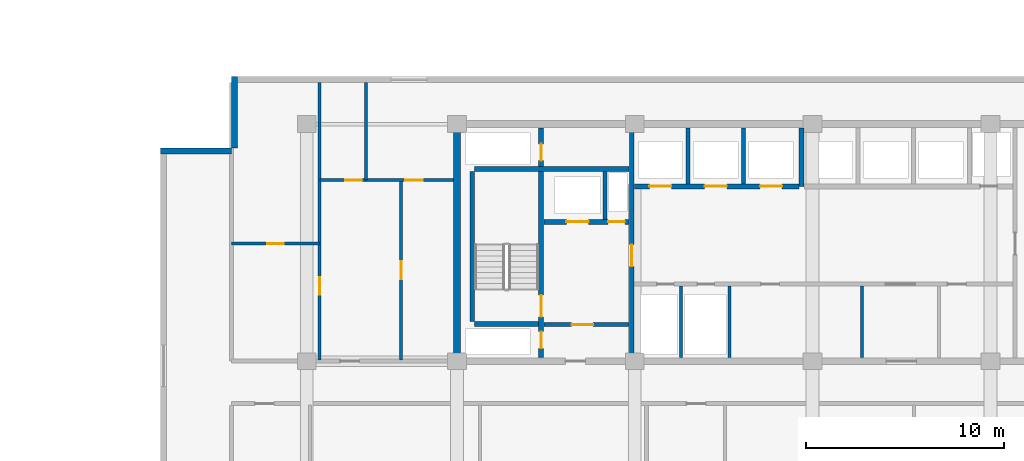
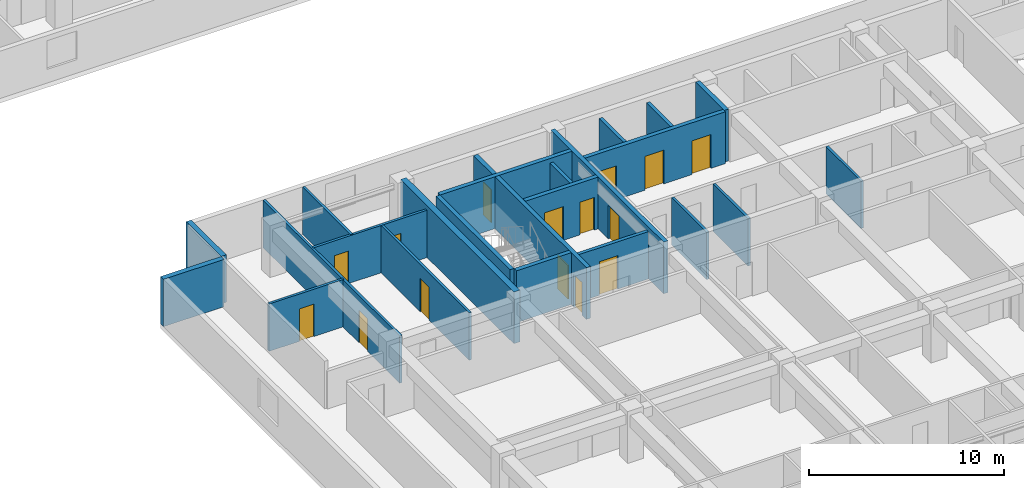
# One storey, part 6 of 23: 23 walls, 15 doors, 15 openings.
"""IFC4 building model written with IfcOpenShell, lengths in metres."""

from ifc_helpers import new_model, si_unit, direction, frame, frame_2d, origin, place, context, subcontext, project, spatial, rectangle, extrude, material, layer, layer_set, type_object, element, fill, save


model = new_model("IFC4")

# Units and contexts
model_context = context("Model", 3, precision=1e-05, world=origin(), true_north=direction((0.0, 1.0)))
body_context = subcontext(model_context, "Body", "Model", "MODEL_VIEW")
ifc_project = project(units=[si_unit("LENGTHUNIT", "METRE"), si_unit("AREAUNIT", "SQUARE_METRE"), si_unit("VOLUMEUNIT", "CUBIC_METRE"), si_unit("PLANEANGLEUNIT", "RADIAN"), si_unit("MASSUNIT", "GRAM", prefix="KILO")], contexts=[model_context])

# Site, building, storey
site_placement = place(None, origin())
site = spatial("IfcSite", under=ifc_project, at=site_placement, CompositionType="ELEMENT")
building_placement = place(site_placement, origin())
building = spatial("IfcBuilding", under=site, at=building_placement, Name="Korimba Cascade Residences", CompositionType="ELEMENT")
storey_placement = place(building_placement, frame((0.0, 0.0, 53.25)))
storey = spatial("IfcBuildingStorey", under=building, at=storey_placement, Name="L14", CompositionType="ELEMENT", Elevation=53.25)

# Walls
ifc_material_1 = material(Name="Precast concrete C40/50", Category="concrete")
ifc_layer_1 = layer(ifc_material_1, 0.300048828125)
ifc_layer_set_1 = layer_set([ifc_layer_1], Name="Precast concrete C40/50")
wall_type_1 = type_object("IfcWallType", Name="EW-STONE-300", PredefinedType="STANDARD", material=ifc_layer_set_1)
wall_1_placement = place(storey_placement, frame((70.85009765625, 32.800048828125, 0.0), z_axis=(0.0, 0.0, 1.0), x_axis=(0.0, -1.0, 0.0)))
element("IfcWall", 1, at=wall_1_placement, inside=storey, type_object=wall_type_1, Name="L14 T2 Perimeter Stone Wall E07", PredefinedType="STANDARD", context=body_context, shape_type="SweptSolid", body=[
    extrude(rectangle(XDim=3.60009765625, YDim=0.300048828125, at=frame_2d((1.800048828125, 0.0))), origin(), (0.0, 0.0, 1.0), 2.969970703125),
])
wall_2_placement = place(storey_placement, frame((70.699951171875, 29.050048828125, 0.0), z_axis=(0.0, 0.0, 1.0), x_axis=(-1.0, 0.0, 0.0)))
element("IfcWall", 2, at=wall_2_placement, inside=storey, type_object=wall_type_1, Name="L14 T2 Perimeter Stone Wall E08", PredefinedType="STANDARD", context=body_context, shape_type="SweptSolid", body=[
    extrude(rectangle(XDim=3.599853515625, YDim=0.300048828125, at=frame_2d((1.7998046875, 0.0))), origin(), (0.0, 0.0, 1.0), 2.969970703125),
])
ifc_material_2 = material(Name="Concrete C65/80", Category="concrete")
ifc_layer_2 = layer(ifc_material_2, 0.35009765625)
ifc_layer_set_2 = layer_set([ifc_layer_2], Name="Concrete C65/80")
wall_type_2 = type_object("IfcWallType", Name="WAL-CORE-350", PredefinedType="SHEAR", material=ifc_layer_set_2)
wall_3_placement = place(storey_placement, frame((82.10009765625, 18.574951171875, 0.0), z_axis=(0.0, 0.0, 1.0), x_axis=(0.0, 1.0, 0.0)))
element("IfcWall", 3, at=wall_3_placement, inside=storey, type_object=wall_type_2, Name="L14 Core Shear Wall CW-L14-T2-W", PredefinedType="SHEAR", context=body_context, shape_type="SweptSolid", body=[
    extrude(rectangle(XDim=11.650146484375, YDim=0.35009765625, at=frame_2d((5.8251953125, 0.0))), origin(), (0.0, 0.0, 1.0), 3.25),
])
ifc_material_3 = material(Name="Insulated Acoustic Stud Partition", Category="gypsum")
ifc_layer_3 = layer(ifc_material_3, 0.14990234375)
ifc_layer_set_3 = layer_set([ifc_layer_3], Name="Insulated Acoustic Stud Partition")
wall_type_3 = type_object("IfcWallType", Name="WAL-PART-150", PredefinedType="PARTITIONING", material=ifc_layer_set_3)
for number, where, z_axis, x_axis, name in (
    (4, (93.449951171875, 18.60009765625, 0.0), (0.0, 0.0, 1.0), (0.0, 1.0, 0.0), "L14 Partition Wall CW-L14-T2-ERDIV"),
    (5, (95.89990234375, 18.60009765625, 0.0), (0.0, 0.0, 1.0), (0.0, 1.0, 0.0), "L14 Partition Wall CW-L14-T2-PRDIV"),
    (6, (102.60009765625, 18.60009765625, 0.0), (0.0, 0.0, 1.0), (0.0, 1.0, 0.0), "L14 Partition Wall CW-L14-T2-THW"),
):
    element("IfcWall", number, at=place(storey_placement, frame(where, z_axis=z_axis, x_axis=x_axis)), inside=storey, type_object=wall_type_3, Name=name, PredefinedType="PARTITIONING", context=body_context, shape_type="SweptSolid", body=[
        extrude(rectangle(XDim=3.599853515625, YDim=0.14990234375, at=frame_2d((1.7998046875, 0.0))), origin(), (0.0, 0.0, 1.0), 2.969970703125),
    ])

# Wall, opening, door
wall_4_placement = place(storey_placement, frame((70.699951171875, 24.35009765625, 0.0), z_axis=(0.0, 0.0, 1.0), x_axis=(1.0, 0.0, 0.0)))
wall_4 = element("IfcWall", 7, at=wall_4_placement, inside=storey, type_object=wall_type_3, Name="L14 Partition Wall WAL-L14-T2-FW-STH", PredefinedType="PARTITIONING", context=body_context, shape_type="SweptSolid", body=[
    extrude(rectangle(XDim=4.449951171875, YDim=0.14990234375, at=frame_2d((2.22509765625, 0.0))), origin(), (0.0, 0.0, 1.0), 2.969970703125),
])
opening_1_placement = place(wall_4_placement, frame((1.804931640625, 0.0, 0.0)))
opening_1 = element("IfcOpeningElement", 8, at=opening_1_placement, cuts=wall_4, Name="Opening D-BT1", PredefinedType="OPENING", context=body_context, shape_type="SweptSolid", body=[
    extrude(rectangle(XDim=0.840087890625, YDim=2.0400390625, at=frame_2d((0.419921875, 1.02001953125))), frame((0.0, 0.0849609375, 0.0), z_axis=(0.0, -1.0, 0.0), x_axis=(1.0, 0.0, 0.0)), (0.0, 0.0, 1.0), 0.169921875),
])
ifc_material_4 = material(Name="Moisture-Resistant Bathroom Timber Door", Category="wood")
door_type_1 = type_object("IfcDoorType", Name="DR-INT-850", OperationType="NOTDEFINED", PredefinedType="DOOR", material=ifc_material_4)
door_1_placement = place(opening_1_placement, origin())
door_1 = element("IfcDoor", 9, at=door_1_placement, inside=storey, type_object=door_type_1, Name="L14-T2-FW Dressing Store Door", OperationType="SINGLE_SWING_LEFT", OverallHeight=2.0400390625, OverallWidth=0.840087890625, PredefinedType="DOOR", context=body_context, shape_type="SweptSolid", body=[
    extrude(rectangle(XDim=0.840087890625, YDim=2.0400390625, at=frame_2d((0.419921875, 1.02001953125))), frame((0.0, 0.02490234375, 0.0), z_axis=(0.0, -1.0, 0.0), x_axis=(1.0, 0.0, 0.0)), (0.0, 0.0, 1.0), 0.050048828125),
])
fill(opening_1, door_1)

wall_5_placement = place(storey_placement, frame((75.14990234375, 18.449951171875, 0.0), z_axis=(0.0, 0.0, 1.0), x_axis=(0.0, 1.0, 0.0)))
wall_5 = element("IfcWall", 10, at=wall_5_placement, inside=storey, type_object=wall_type_3, Name="L14 Partition Wall WAL-L14-T2-FW-STV", PredefinedType="PARTITIONING", context=body_context, shape_type="SweptSolid", body=[
    extrude(rectangle(XDim=14.050048828125, YDim=0.14990234375, at=frame_2d((7.02490234375, 0.0))), origin(), (0.0, 0.0, 1.0), 2.969970703125),
])
opening_2_placement = place(wall_5_placement, frame((3.320068359375, 0.0, 0.0)))
opening_2 = element("IfcOpeningElement", 11, at=opening_2_placement, cuts=wall_5, Name="Opening D-IN2", PredefinedType="OPENING", context=body_context, shape_type="SweptSolid", body=[
    extrude(rectangle(XDim=0.8798828125, YDim=2.06005859375, at=frame_2d((0.43994140625, 1.030029296875))), frame((0.0, 0.0849609375, 0.0), z_axis=(0.0, -1.0, 0.0), x_axis=(1.0, 0.0, 0.0)), (0.0, 0.0, 1.0), 0.169921875),
])
ifc_material_5 = material(Name="Acoustic Timber Bedroom Door", Category="wood")
door_type_2 = type_object("IfcDoorType", Name="DR-INT-880", OperationType="NOTDEFINED", PredefinedType="DOOR", material=ifc_material_5)
door_2_placement = place(opening_2_placement, origin())
door_2 = element("IfcDoor", 12, at=door_2_placement, inside=storey, type_object=door_type_2, Name="L14-T2-FW Study Door", OperationType="SINGLE_SWING_RIGHT", OverallHeight=2.06005859375, OverallWidth=0.8798828125, PredefinedType="DOOR", context=body_context, shape_type="SweptSolid", body=[
    extrude(rectangle(XDim=0.8798828125, YDim=2.06005859375, at=frame_2d((0.43994140625, 1.030029296875))), frame((0.0, 0.02490234375, 0.0), z_axis=(0.0, -1.0, 0.0), x_axis=(1.0, 0.0, 0.0)), (0.0, 0.0, 1.0), 0.050048828125),
])
fill(opening_2, door_2)

wall_6_placement = place(storey_placement, frame((79.27001953125, 18.449951171875, 0.0), z_axis=(0.0, 0.0, 1.0), x_axis=(0.0, 1.0, 0.0)))
wall_6 = element("IfcWall", 13, at=wall_6_placement, inside=storey, type_object=wall_type_3, Name="L14 Partition Wall WAL-L14-T2-FW-VS", PredefinedType="PARTITIONING", context=body_context, shape_type="SweptSolid", body=[
    extrude(rectangle(XDim=9.1201171875, YDim=0.14990234375, at=frame_2d((4.56005859375, 0.0))), origin(), (0.0, 0.0, 1.0), 2.969970703125),
])
opening_3_placement = place(wall_6_placement, frame((4.10009765625, 0.0, 0.0)))
opening_3 = element("IfcOpeningElement", 14, at=opening_3_placement, cuts=wall_6, Name="Opening D-IN1", PredefinedType="OPENING", context=body_context, shape_type="SweptSolid", body=[
    extrude(rectangle(XDim=0.919921875, YDim=2.080078125, at=frame_2d((0.4599609375, 1.0400390625))), frame((0.0, 0.0849609375, 0.0), z_axis=(0.0, -1.0, 0.0), x_axis=(1.0, 0.0, 0.0)), (0.0, 0.0, 1.0), 0.169921875),
])
ifc_material_6 = material(Name="Acoustic Timber Living Door", Category="wood")
door_type_3 = type_object("IfcDoorType", Name="DR-INT-920", OperationType="NOTDEFINED", PredefinedType="DOOR", material=ifc_material_6)
door_3_placement = place(opening_3_placement, origin())
door_3 = element("IfcDoor", 15, at=door_3_placement, inside=storey, type_object=door_type_3, Name="L14-T2-FW Living Door", OperationType="SINGLE_SWING_LEFT", OverallHeight=2.080078125, OverallWidth=0.919921875, PredefinedType="DOOR", context=body_context, shape_type="SweptSolid", body=[
    extrude(rectangle(XDim=0.919921875, YDim=2.080078125, at=frame_2d((0.4599609375, 1.0400390625))), frame((0.0, 0.02490234375, 0.0), z_axis=(0.0, -1.0, 0.0), x_axis=(1.0, 0.0, 0.0)), (0.0, 0.0, 1.0), 0.050048828125),
])
fill(opening_3, door_3)

# Wall
wall_7_placement = place(storey_placement, frame((77.5, 27.570068359375, 0.0), z_axis=(0.0, 0.0, 1.0), x_axis=(0.0, 1.0, 0.0)))
element("IfcWall", 16, at=wall_7_placement, inside=storey, type_object=wall_type_3, Name="L14 Partition Wall WAL-L14-T2-FW-VN", PredefinedType="PARTITIONING", context=body_context, shape_type="SweptSolid", body=[
    extrude(rectangle(XDim=4.929931640625, YDim=0.14990234375, at=frame_2d((2.46484375, 0.0))), origin(), (0.0, 0.0, 1.0), 2.969970703125),
])

# Wall, openings, doors
wall_8_placement = place(storey_placement, frame((75.169921875, 27.570068359375, 0.0), z_axis=(0.0, 0.0, 1.0), x_axis=(1.0, 0.0, 0.0)))
wall_8 = element("IfcWall", 17, at=wall_8_placement, inside=storey, type_object=wall_type_3, Name="L14 Partition Wall WAL-L14-T2-FW-H", PredefinedType="PARTITIONING", context=body_context, shape_type="SweptSolid", body=[
    extrude(rectangle(XDim=6.760009765625, YDim=0.14990234375, at=frame_2d((3.3798828125, 0.0))), origin(), (0.0, 0.0, 1.0), 2.969970703125),
])
opening_4_placement = place(wall_8_placement, frame((1.266357421875, 0.0, 0.0)))
opening_4 = element("IfcOpeningElement", 18, at=opening_4_placement, cuts=wall_8, Name="Opening D-BT1", PredefinedType="OPENING", context=body_context, shape_type="SweptSolid", body=[
    extrude(rectangle(XDim=0.840087890625, YDim=2.0400390625, at=frame_2d((0.419921875, 1.02001953125))), frame((0.0, 0.0849609375, 0.0), z_axis=(0.0, -1.0, 0.0), x_axis=(1.0, 0.0, 0.0)), (0.0, 0.0, 1.0), 0.169921875),
])
opening_5_placement = place(wall_8_placement, frame((4.320068359375, 0.0, 0.0)))
opening_5 = element("IfcOpeningElement", 19, at=opening_5_placement, cuts=wall_8, Name="Opening D-IN2", PredefinedType="OPENING", context=body_context, shape_type="SweptSolid", body=[
    extrude(rectangle(XDim=0.8798828125, YDim=2.06005859375, at=frame_2d((0.43994140625, 1.030029296875))), frame((0.0, 0.0849609375, 0.0), z_axis=(0.0, -1.0, 0.0), x_axis=(1.0, 0.0, 0.0)), (0.0, 0.0, 1.0), 0.169921875),
])
door_4_placement = place(opening_4_placement, origin())
door_4 = element("IfcDoor", 20, at=door_4_placement, inside=storey, type_object=door_type_1, Name="L14-T2-FW Bathroom Door", OperationType="SINGLE_SWING_RIGHT", OverallHeight=2.0400390625, OverallWidth=0.840087890625, PredefinedType="DOOR", context=body_context, shape_type="SweptSolid", body=[
    extrude(rectangle(XDim=0.840087890625, YDim=2.0400390625, at=frame_2d((0.419921875, 1.02001953125))), frame((0.0, 0.02490234375, 0.0), z_axis=(0.0, -1.0, 0.0), x_axis=(1.0, 0.0, 0.0)), (0.0, 0.0, 1.0), 0.050048828125),
])
fill(opening_4, door_4)
door_5_placement = place(opening_5_placement, origin())
door_5 = element("IfcDoor", 21, at=door_5_placement, inside=storey, type_object=door_type_2, Name="L14-T2-FW Bedroom Door", OperationType="SINGLE_SWING_LEFT", OverallHeight=2.06005859375, OverallWidth=0.8798828125, PredefinedType="DOOR", context=body_context, shape_type="SweptSolid", body=[
    extrude(rectangle(XDim=0.8798828125, YDim=2.06005859375, at=frame_2d((0.43994140625, 1.030029296875))), frame((0.0, 0.02490234375, 0.0), z_axis=(0.0, -1.0, 0.0), x_axis=(1.0, 0.0, 0.0)), (0.0, 0.0, 1.0), 0.050048828125),
])
fill(opening_5, door_5)

# Wall
ifc_material_7 = material(Name="Concrete C40/50", Category="concrete")
ifc_layer_4 = layer(ifc_material_7, 0.199951171875)
ifc_layer_set_4 = layer_set([ifc_layer_4], Name="Concrete C40/50")
wall_type_4 = type_object("IfcWallType", Name="WAL-PART-200", PredefinedType="PARTITIONING", material=ifc_layer_set_4)
wall_9_placement = place(storey_placement, frame((89.60009765625, 25.580078125, 0.0), z_axis=(0.0, 0.0, 1.0), x_axis=(0.0, 1.0, 0.0)))
element("IfcWall", 22, at=wall_9_placement, inside=storey, type_object=wall_type_4, Name="L14 Partition Wall CW-L14-T2-FFLDIV", PredefinedType="PARTITIONING", context=body_context, shape_type="SweptSolid", body=[
    extrude(rectangle(XDim=2.419921875, YDim=0.199951171875, at=frame_2d((1.2099609375, 0.0))), origin(), (0.0, 0.0, 1.0), 2.969970703125),
])

# Wall, opening, door
wall_10_placement = place(storey_placement, frame((86.5, 20.25, 0.0), z_axis=(0.0, 0.0, 1.0), x_axis=(1.0, 0.0, 0.0)))
wall_10 = element("IfcWall", 23, at=wall_10_placement, inside=storey, type_object=wall_type_4, Name="L14 Partition Wall CW-L14-T2-FFLS", PredefinedType="PARTITIONING", context=body_context, shape_type="SweptSolid", body=[
    extrude(rectangle(XDim=4.320068359375, YDim=0.199951171875, at=frame_2d((2.16015625, 0.0))), origin(), (0.0, 0.0, 1.0), 2.969970703125),
])
opening_6_placement = place(wall_10_placement, frame((1.39990234375, 0.0, 0.0)))
opening_6 = element("IfcOpeningElement", 24, at=opening_6_placement, cuts=wall_10, Name="Opening D-FD1", PredefinedType="OPENING", context=body_context, shape_type="SweptSolid", body=[
    extrude(rectangle(XDim=1.10009765625, YDim=2.10009765625, at=frame_2d((0.550048828125, 1.050048828125))), frame((0.0, 0.10986328125, 0.0), z_axis=(0.0, -1.0, 0.0), x_axis=(1.0, 0.0, 0.0)), (0.0, 0.0, 1.0), 0.219970703125),
])
ifc_material_8 = material(Name="Fire-Rated Steel Core Door", Category="steel")
door_type_4 = type_object("IfcDoorType", Name="DR-FD120-1100", OperationType="NOTDEFINED", PredefinedType="DOOR", material=ifc_material_8)
door_6_placement = place(opening_6_placement, origin())
door_6 = element("IfcDoor", 25, at=door_6_placement, inside=storey, type_object=door_type_4, Name="L14 T2 Firefighting Lobby Door", OperationType="SINGLE_SWING_RIGHT", OverallHeight=2.10009765625, OverallWidth=1.10009765625, PredefinedType="DOOR", context=body_context, shape_type="SweptSolid", body=[
    extrude(rectangle(XDim=1.10009765625, YDim=2.10009765625, at=frame_2d((0.550048828125, 1.050048828125))), frame((0.0, 0.02490234375, 0.0), z_axis=(0.0, -1.0, 0.0), x_axis=(1.0, 0.0, 0.0)), (0.0, 0.0, 1.0), 0.050048828125),
])
fill(opening_6, door_6)

# Walls
for number, where, z_axis, x_axis, name in (
    (26, (93.800048828125, 27.3798828125, 0.0), (0.0, 0.0, 1.0), (0.0, 1.0, 0.0), "L14 Partition Wall CW-L14-T2-B1D1"),
    (27, (96.60009765625, 27.3798828125, 0.0), (0.0, 0.0, 1.0), (0.0, 1.0, 0.0), "L14 Partition Wall CW-L14-T2-B1D2"),
):
    element("IfcWall", number, at=place(storey_placement, frame(where, z_axis=z_axis, x_axis=x_axis)), inside=storey, type_object=wall_type_4, Name=name, PredefinedType="PARTITIONING", context=body_context, shape_type="SweptSolid", body=[
        extrude(rectangle(XDim=2.820068359375, YDim=0.199951171875, at=frame_2d((1.41015625, 0.0))), origin(), (0.0, 0.0, 1.0), 2.969970703125),
    ])
ifc_material_9 = material(Name="Concrete C50/60", Category="concrete")
ifc_layer_5 = layer(ifc_material_9, 0.25)
ifc_layer_set_5 = layer_set([ifc_layer_5], Name="Concrete C50/60")
wall_type_5 = type_object("IfcWallType", Name="WAL-SHAFT-250", PredefinedType="SHEAR", material=ifc_layer_set_5)
wall_11_placement = place(storey_placement, frame((82.875, 20.39990234375, 0.0), z_axis=(0.0, 0.0, 1.0), x_axis=(0.0, 1.0, 0.0)))
element("IfcWall", 28, at=wall_11_placement, inside=storey, type_object=wall_type_5, Name="L14 Core Shear Wall CW-L14-T2-STE1W", PredefinedType="SHEAR", context=body_context, shape_type="SweptSolid", body=[
    extrude(rectangle(XDim=7.60009765625, YDim=0.25, at=frame_2d((3.800048828125, 0.0))), origin(), (0.0, 0.0, 1.0), 3.25),
])

# Wall, openings, doors
wall_12_placement = place(storey_placement, frame((86.364990234375, 18.60009765625, 0.0), z_axis=(0.0, 0.0, 1.0), x_axis=(0.0, 1.0, 0.0)))
wall_12 = element("IfcWall", 29, at=wall_12_placement, inside=storey, type_object=wall_type_5, Name="L14 Core Shear Wall CW-L14-T2-STE1E", PredefinedType="SHEAR", context=body_context, shape_type="SweptSolid", body=[
    extrude(rectangle(XDim=11.599853515625, YDim=0.25, at=frame_2d((5.7998046875, 0.0))), origin(), (0.0, 0.0, 1.0), 3.25),
])
opening_7_placement = place(wall_12_placement, frame((0.449951171875, 0.0, 0.0)))
opening_7 = element("IfcOpeningElement", 30, at=opening_7_placement, cuts=wall_12, Name="Opening D-RS1", PredefinedType="OPENING", context=body_context, shape_type="SweptSolid", body=[
    extrude(rectangle(XDim=0.85009765625, YDim=2.050048828125, at=frame_2d((0.425048828125, 1.02490234375))), frame((0.0, 0.135009765625, 0.0), z_axis=(0.0, -1.0, 0.0), x_axis=(1.0, 0.0, 0.0)), (0.0, 0.0, 1.0), 0.27001953125),
])
opening_8_placement = place(wall_12_placement, frame((2.050048828125, 0.0, 0.0)))
opening_8 = element("IfcOpeningElement", 31, at=opening_8_placement, cuts=wall_12, Name="Opening D-FD1", PredefinedType="OPENING", context=body_context, shape_type="SweptSolid", body=[
    extrude(rectangle(XDim=1.10009765625, YDim=2.10009765625, at=frame_2d((0.550048828125, 1.050048828125))), frame((0.0, 0.135009765625, 0.0), z_axis=(0.0, -1.0, 0.0), x_axis=(1.0, 0.0, 0.0)), (0.0, 0.0, 1.0), 0.27001953125),
])
opening_9_placement = place(wall_12_placement, frame((9.949951171875, 0.0, 0.0)))
opening_9 = element("IfcOpeningElement", 32, at=opening_9_placement, cuts=wall_12, Name="Opening D-RS1", PredefinedType="OPENING", context=body_context, shape_type="SweptSolid", body=[
    extrude(rectangle(XDim=0.85009765625, YDim=2.050048828125, at=frame_2d((0.425048828125, 1.02490234375))), frame((0.0, 0.135009765625, 0.0), z_axis=(0.0, -1.0, 0.0), x_axis=(1.0, 0.0, 0.0)), (0.0, 0.0, 1.0), 0.27001953125),
])
door_7_placement = place(opening_8_placement, origin())
door_7 = element("IfcDoor", 33, at=door_7_placement, inside=storey, type_object=door_type_4, Name="L14 Fire Stair ST-E1 Door", OperationType="SINGLE_SWING_LEFT", OverallHeight=2.10009765625, OverallWidth=1.10009765625, PredefinedType="DOOR", context=body_context, shape_type="SweptSolid", body=[
    extrude(rectangle(XDim=1.10009765625, YDim=2.10009765625, at=frame_2d((0.550048828125, 1.050048828125))), frame((0.0, 0.02490234375, 0.0), z_axis=(0.0, -1.0, 0.0), x_axis=(1.0, 0.0, 0.0)), (0.0, 0.0, 1.0), 0.050048828125),
])
fill(opening_8, door_7)
ifc_material_10 = material(Name="Fire-Rated Steel Riser Access Door", Category="steel")
door_type_5 = type_object("IfcDoorType", Name="DR-FD60-850", OperationType="NOTDEFINED", PredefinedType="DOOR", material=ifc_material_10)
door_8_placement = place(opening_7_placement, origin())
door_8 = element("IfcDoor", 34, at=door_8_placement, inside=storey, type_object=door_type_5, Name="L14 T2 Hydrant Riser Door", OperationType="SINGLE_SWING_RIGHT", OverallHeight=2.050048828125, OverallWidth=0.85009765625, PredefinedType="DOOR", context=body_context, shape_type="SweptSolid", body=[
    extrude(rectangle(XDim=0.85009765625, YDim=2.050048828125, at=frame_2d((0.425048828125, 1.02490234375))), frame((0.0, 0.02490234375, 0.0), z_axis=(0.0, -1.0, 0.0), x_axis=(1.0, 0.0, 0.0)), (0.0, 0.0, 1.0), 0.050048828125),
])
fill(opening_7, door_8)
door_9_placement = place(opening_9_placement, origin())
door_9 = element("IfcDoor", 35, at=door_9_placement, inside=storey, type_object=door_type_5, Name="L14 T2 Smoke Shaft Door", OperationType="SINGLE_SWING_RIGHT", OverallHeight=2.050048828125, OverallWidth=0.85009765625, PredefinedType="DOOR", context=body_context, shape_type="SweptSolid", body=[
    extrude(rectangle(XDim=0.85009765625, YDim=2.050048828125, at=frame_2d((0.425048828125, 1.02490234375))), frame((0.0, 0.02490234375, 0.0), z_axis=(0.0, -1.0, 0.0), x_axis=(1.0, 0.0, 0.0)), (0.0, 0.0, 1.0), 0.050048828125),
])
fill(opening_9, door_9)

# Walls
wall_13_placement = place(storey_placement, frame((83.0, 20.27490234375, 0.0), z_axis=(0.0, 0.0, 1.0), x_axis=(1.0, 0.0, 0.0)))
element("IfcWall", 36, at=wall_13_placement, inside=storey, type_object=wall_type_5, Name="L14 Core Shear Wall CW-L14-T2-STE1S", PredefinedType="SHEAR", context=body_context, shape_type="SweptSolid", body=[
    extrude(rectangle(XDim=3.239990234375, YDim=0.25, at=frame_2d((1.6201171875, 0.0))), origin(), (0.0, 0.0, 1.0), 3.25),
])
wall_14_placement = place(storey_placement, frame((83.0, 28.125, 0.0), z_axis=(0.0, 0.0, 1.0), x_axis=(1.0, 0.0, 0.0)))
element("IfcWall", 37, at=wall_14_placement, inside=storey, type_object=wall_type_5, Name="L14 Core Shear Wall CW-L14-T2-STE1N", PredefinedType="SHEAR", context=body_context, shape_type="SweptSolid", body=[
    extrude(rectangle(XDim=7.820068359375, YDim=0.25, at=frame_2d((3.91015625, 0.0))), origin(), (0.0, 0.0, 1.0), 3.25),
])

# Wall, openings, doors
wall_15_placement = place(storey_placement, frame((86.5, 25.449951171875, 0.0), z_axis=(0.0, 0.0, 1.0), x_axis=(1.0, 0.0, 0.0)))
wall_15 = element("IfcWall", 38, at=wall_15_placement, inside=storey, type_object=wall_type_5, Name="L14 Core Shear Wall CW-L14-T2-FFLN", PredefinedType="SHEAR", context=body_context, shape_type="SweptSolid", body=[
    extrude(rectangle(XDim=4.320068359375, YDim=0.25, at=frame_2d((2.16015625, 0.0))), origin(), (0.0, 0.0, 1.0), 3.25),
])
opening_10_placement = place(wall_15_placement, frame((1.139892578125, 0.0, 0.0)))
opening_10 = element("IfcOpeningElement", 39, at=opening_10_placement, cuts=wall_15, Name="Opening LD-01", PredefinedType="OPENING", context=body_context, shape_type="SweptSolid", body=[
    extrude(rectangle(XDim=1.1201171875, YDim=2.1201171875, at=frame_2d((0.56005859375, 1.06005859375))), frame((0.0, 0.135009765625, 0.0), z_axis=(0.0, -1.0, 0.0), x_axis=(1.0, 0.0, 0.0)), (0.0, 0.0, 1.0), 0.27001953125),
])
opening_11_placement = place(wall_15_placement, frame((3.25, 0.0, 0.0)))
opening_11 = element("IfcOpeningElement", 40, at=opening_11_placement, cuts=wall_15, Name="Opening D-RS1", PredefinedType="OPENING", context=body_context, shape_type="SweptSolid", body=[
    extrude(rectangle(XDim=0.85009765625, YDim=2.050048828125, at=frame_2d((0.425048828125, 1.02490234375))), frame((0.0, 0.135009765625, 0.0), z_axis=(0.0, -1.0, 0.0), x_axis=(1.0, 0.0, 0.0)), (0.0, 0.0, 1.0), 0.27001953125),
])
door_10_placement = place(opening_11_placement, origin())
door_10 = element("IfcDoor", 41, at=door_10_placement, inside=storey, type_object=door_type_5, Name="L14 T2 Pressurisation Riser Door", OperationType="SINGLE_SWING_LEFT", OverallHeight=2.050048828125, OverallWidth=0.85009765625, PredefinedType="DOOR", context=body_context, shape_type="SweptSolid", body=[
    extrude(rectangle(XDim=0.85009765625, YDim=2.050048828125, at=frame_2d((0.425048828125, 1.02490234375))), frame((0.0, 0.02490234375, 0.0), z_axis=(0.0, -1.0, 0.0), x_axis=(1.0, 0.0, 0.0)), (0.0, 0.0, 1.0), 0.050048828125),
])
fill(opening_11, door_10)
ifc_material_11 = material(Name="Stainless Steel Lift Landing Sliding Door", Category="steel")
door_type_6 = type_object("IfcDoorType", Name="DR-LIFT-1100", OperationType="NOTDEFINED", PredefinedType="DOOR", material=ifc_material_11)
door_11_placement = place(opening_10_placement, origin())
door_11 = element("IfcDoor", 42, at=door_11_placement, inside=storey, type_object=door_type_6, Name="L14 Firefighting Lift Landing Door FFL-E1", OperationType="SLIDING_TO_RIGHT", OverallHeight=2.1201171875, OverallWidth=1.1201171875, PredefinedType="DOOR", context=body_context, shape_type="SweptSolid", body=[
    extrude(rectangle(XDim=1.1201171875, YDim=2.1201171875, at=frame_2d((0.56005859375, 1.06005859375))), frame((0.0, 0.02490234375, 0.0), z_axis=(0.0, -1.0, 0.0), x_axis=(1.0, 0.0, 0.0)), (0.0, 0.0, 1.0), 0.050048828125),
])
fill(opening_10, door_11)

# Wall, opening, door
wall_16_placement = place(storey_placement, frame((90.949951171875, 18.60009765625, 0.0), z_axis=(0.0, 0.0, 1.0), x_axis=(0.0, 1.0, 0.0)))
wall_16 = element("IfcWall", 43, at=wall_16_placement, inside=storey, type_object=wall_type_5, Name="L14 Core Shear Wall CW-L14-T2-FFLE", PredefinedType="SHEAR", context=body_context, shape_type="SweptSolid", body=[
    extrude(rectangle(XDim=11.599853515625, YDim=0.25, at=frame_2d((5.7998046875, 0.0))), origin(), (0.0, 0.0, 1.0), 3.25),
])
opening_12_placement = place(wall_16_placement, frame((4.60009765625, 0.0, 0.0)))
opening_12 = element("IfcOpeningElement", 44, at=opening_12_placement, cuts=wall_16, Name="Opening D-FD1", PredefinedType="OPENING", context=body_context, shape_type="SweptSolid", body=[
    extrude(rectangle(XDim=1.10009765625, YDim=2.10009765625, at=frame_2d((0.550048828125, 1.050048828125))), frame((0.0, 0.135009765625, 0.0), z_axis=(0.0, -1.0, 0.0), x_axis=(1.0, 0.0, 0.0)), (0.0, 0.0, 1.0), 0.27001953125),
])
door_12_placement = place(opening_12_placement, origin())
door_12 = element("IfcDoor", 45, at=door_12_placement, inside=storey, type_object=door_type_4, Name="L14 T2 Firefighting Lobby to Lift Lobby Door", OperationType="SINGLE_SWING_LEFT", OverallHeight=2.10009765625, OverallWidth=1.10009765625, PredefinedType="DOOR", context=body_context, shape_type="SweptSolid", body=[
    extrude(rectangle(XDim=1.10009765625, YDim=2.10009765625, at=frame_2d((0.550048828125, 1.050048828125))), frame((0.0, 0.02490234375, 0.0), z_axis=(0.0, -1.0, 0.0), x_axis=(1.0, 0.0, 0.0)), (0.0, 0.0, 1.0), 0.050048828125),
])
fill(opening_12, door_12)

# Wall, openings, doors
wall_17_placement = place(storey_placement, frame((91.080078125, 27.25, 0.0), z_axis=(0.0, 0.0, 1.0), x_axis=(1.0, 0.0, 0.0)))
wall_17 = element("IfcWall", 46, at=wall_17_placement, inside=storey, type_object=wall_type_5, Name="L14 Core Shear Wall CW-L14-T2-B1S", PredefinedType="SHEAR", context=body_context, shape_type="SweptSolid", body=[
    extrude(rectangle(XDim=8.33984375, YDim=0.25, at=frame_2d((4.169921875, 0.0))), origin(), (0.0, 0.0, 1.0), 3.25),
])
opening_13_placement = place(wall_17_placement, frame((0.760009765625, 0.0, 0.0)))
opening_13 = element("IfcOpeningElement", 47, at=opening_13_placement, cuts=wall_17, Name="Opening LD-01", PredefinedType="OPENING", context=body_context, shape_type="SweptSolid", body=[
    extrude(rectangle(XDim=1.1201171875, YDim=2.1201171875, at=frame_2d((0.56005859375, 1.06005859375))), frame((0.0, 0.135009765625, 0.0), z_axis=(0.0, -1.0, 0.0), x_axis=(1.0, 0.0, 0.0)), (0.0, 0.0, 1.0), 0.27001953125),
])
opening_14_placement = place(wall_17_placement, frame((3.56005859375, 0.0, 0.0)))
opening_14 = element("IfcOpeningElement", 48, at=opening_14_placement, cuts=wall_17, Name="Opening LD-01", PredefinedType="OPENING", context=body_context, shape_type="SweptSolid", body=[
    extrude(rectangle(XDim=1.1201171875, YDim=2.1201171875, at=frame_2d((0.56005859375, 1.06005859375))), frame((0.0, 0.135009765625, 0.0), z_axis=(0.0, -1.0, 0.0), x_axis=(1.0, 0.0, 0.0)), (0.0, 0.0, 1.0), 0.27001953125),
])
opening_15_placement = place(wall_17_placement, frame((6.360107421875, 0.0, 0.0)))
opening_15 = element("IfcOpeningElement", 49, at=opening_15_placement, cuts=wall_17, Name="Opening LD-01", PredefinedType="OPENING", context=body_context, shape_type="SweptSolid", body=[
    extrude(rectangle(XDim=1.1201171875, YDim=2.1201171875, at=frame_2d((0.56005859375, 1.06005859375))), frame((0.0, 0.135009765625, 0.0), z_axis=(0.0, -1.0, 0.0), x_axis=(1.0, 0.0, 0.0)), (0.0, 0.0, 1.0), 0.27001953125),
])
door_13_placement = place(opening_13_placement, origin())
door_13 = element("IfcDoor", 50, at=door_13_placement, inside=storey, type_object=door_type_6, Name="L14 Lift Landing Door PL-E1", OperationType="SLIDING_TO_LEFT", OverallHeight=2.1201171875, OverallWidth=1.1201171875, PredefinedType="DOOR", context=body_context, shape_type="SweptSolid", body=[
    extrude(rectangle(XDim=1.1201171875, YDim=2.1201171875, at=frame_2d((0.56005859375, 1.06005859375))), frame((0.0, 0.02490234375, 0.0), z_axis=(0.0, -1.0, 0.0), x_axis=(1.0, 0.0, 0.0)), (0.0, 0.0, 1.0), 0.050048828125),
])
fill(opening_13, door_13)
door_14_placement = place(opening_14_placement, origin())
door_14 = element("IfcDoor", 51, at=door_14_placement, inside=storey, type_object=door_type_6, Name="L14 Lift Landing Door PL-E2", OperationType="SLIDING_TO_LEFT", OverallHeight=2.1201171875, OverallWidth=1.1201171875, PredefinedType="DOOR", context=body_context, shape_type="SweptSolid", body=[
    extrude(rectangle(XDim=1.1201171875, YDim=2.1201171875, at=frame_2d((0.56005859375, 1.06005859375))), frame((0.0, 0.02490234375, 0.0), z_axis=(0.0, -1.0, 0.0), x_axis=(1.0, 0.0, 0.0)), (0.0, 0.0, 1.0), 0.050048828125),
])
fill(opening_14, door_14)
door_15_placement = place(opening_15_placement, origin())
door_15 = element("IfcDoor", 52, at=door_15_placement, inside=storey, type_object=door_type_6, Name="L14 Lift Landing Door PL-E3", OperationType="SLIDING_TO_LEFT", OverallHeight=2.1201171875, OverallWidth=1.1201171875, PredefinedType="DOOR", context=body_context, shape_type="SweptSolid", body=[
    extrude(rectangle(XDim=1.1201171875, YDim=2.1201171875, at=frame_2d((0.56005859375, 1.06005859375))), frame((0.0, 0.02490234375, 0.0), z_axis=(0.0, -1.0, 0.0), x_axis=(1.0, 0.0, 0.0)), (0.0, 0.0, 1.0), 0.050048828125),
])
fill(opening_15, door_15)

# Wall
wall_18_placement = place(storey_placement, frame((99.550048828125, 27.25, 0.0), z_axis=(0.0, 0.0, 1.0), x_axis=(0.0, 1.0, 0.0)))
element("IfcWall", 53, at=wall_18_placement, inside=storey, type_object=wall_type_5, Name="L14 Core Shear Wall CW-L14-T2-B12DIV", PredefinedType="SHEAR", context=body_context, shape_type="SweptSolid", body=[
    extrude(rectangle(XDim=2.949951171875, YDim=0.25, at=frame_2d((1.47509765625, 0.0))), origin(), (0.0, 0.0, 1.0), 3.25),
])

save(model, "model.ifc")
